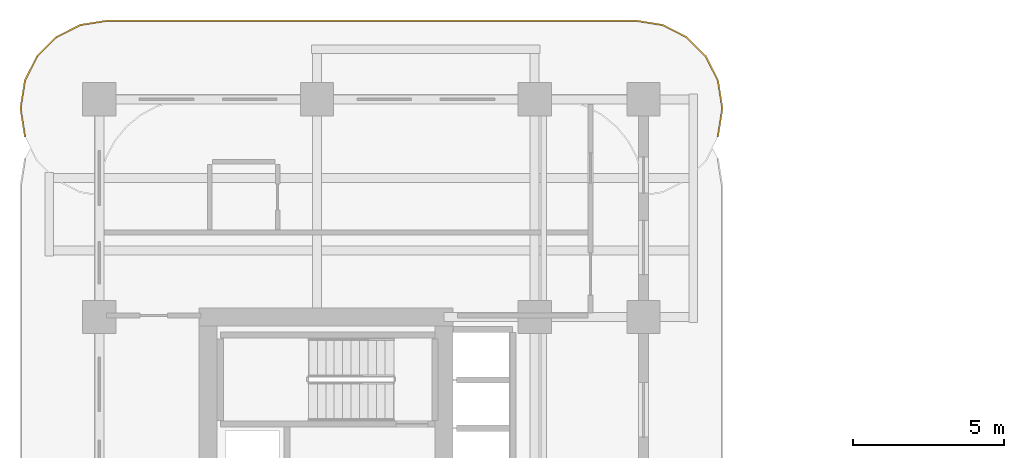
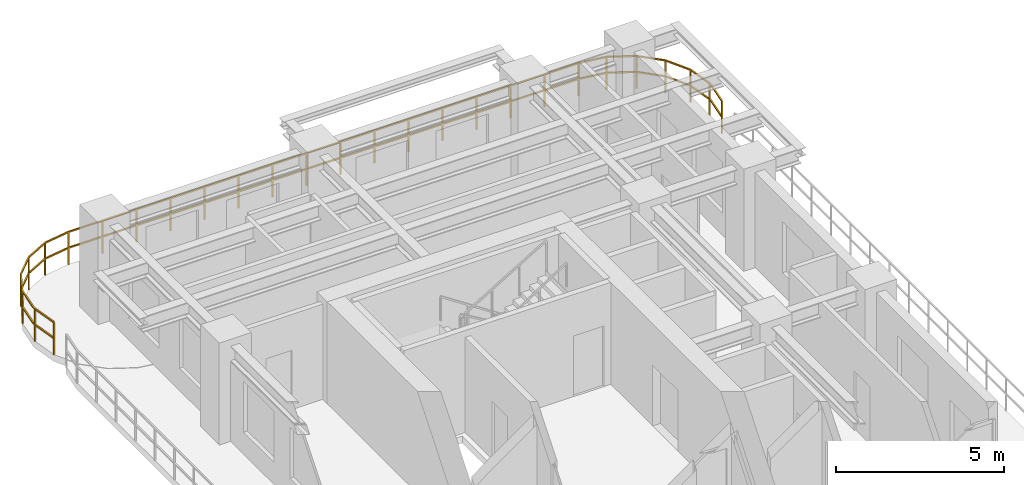
# One storey, part 19 of 19: 1 railing.
"""IFC4 building model written with IfcOpenShell, lengths in metres."""

import ifcopenshell
import ifcopenshell.guid

model = None  # the IFC model being written
_history = None  # IfcOwnerHistory: only IFC2X3 demands one
_inside = {}  # id of a spatial element -> (the spatial element, [elements in it])
_under = {}  # id of a project, library or spatial element -> (it, [spatial elements below it])
_declared = {}  # id of a project -> (the project, [libraries it declares])
_typed = {}  # id of a type object -> (the type object, [elements of that type])
_made_of = {}  # id of a material, layer set ... -> (it, [elements and type objects made of it])


def new_model(schema):
    """Start an empty IFC model of exactly this schema.

    Asked for "IFC4X3", IfcOpenShell would pick the latest addendum, in which some entities
    have other attributes; the version numbers below select the first issue.
    IFC2X3 requires an IfcOwnerHistory on every rooted entity: one is made here for all.
    """
    global model, _history
    if schema == "IFC4X3":
        model = ifcopenshell.file(schema_version=(4, 3, 0, 0))
    else:
        model = ifcopenshell.file(schema=schema)
    _inside.clear()
    _under.clear()
    _declared.clear()
    _typed.clear()
    _made_of.clear()
    _history = None
    if model.schema == "IFC2X3":
        org = make("IfcOrganization", Name="unknown")
        user = make(
            "IfcPersonAndOrganization",
            ThePerson=make("IfcPerson", FamilyName="unknown"),
            TheOrganization=org,
        )
        app = make(
            "IfcApplication",
            ApplicationDeveloper=org,
            Version="unknown",
            ApplicationFullName="unknown",
            ApplicationIdentifier="unknown",
        )
        _history = make(
            "IfcOwnerHistory",
            OwningUser=user,
            OwningApplication=app,
            ChangeAction="ADDED",
            CreationDate=0,
        )
    return model


def make(cls, **values):
    """One entity of the class cls with the attributes given. An attribute that is None is left unset."""
    return model.create_entity(
        cls, **{name: value for name, value in values.items() if value is not None}
    )


def rooted(cls, **values):
    """An entity with a GlobalId (a new one), such as an element, a storey or a relation."""
    return make(cls, GlobalId=ifcopenshell.guid.new(), OwnerHistory=_history, **values)


def si_unit(unit_type, name, prefix=None):
    """IfcSIUnit, for example si_unit("LENGTHUNIT", "METRE", prefix="MILLI")."""
    return make("IfcSIUnit", UnitType=unit_type, Prefix=prefix, Name=name)


def derived_unit(unit_type, elements):
    """IfcDerivedUnit: a product of units, each with its exponent."""
    return make(
        "IfcDerivedUnit",
        Elements=[
            make("IfcDerivedUnitElement", Unit=unit, Exponent=power)
            for unit, power in elements
        ],
        UnitType=unit_type,
    )


def assignment(units):
    """IfcUnitAssignment: the units of a project."""
    return None if units is None else make("IfcUnitAssignment", Units=units)


def point(xyz):
    """IfcCartesianPoint."""
    return None if xyz is None else make("IfcCartesianPoint", Coordinates=xyz)


def direction(xyz):
    """IfcDirection."""
    return None if xyz is None else make("IfcDirection", DirectionRatios=xyz)


def frame(location, z_axis=None, x_axis=None):
    """IfcAxis2Placement3D, a coordinate frame: its origin and axes. An axis left out is left unset."""
    return make(
        "IfcAxis2Placement3D",
        Location=point(location),
        Axis=direction(z_axis),
        RefDirection=direction(x_axis),
    )


def frame_2d(location, x_axis=None):
    """IfcAxis2Placement2D, a coordinate frame in the plane: its origin and x axis."""
    return make(
        "IfcAxis2Placement2D", Location=point(location), RefDirection=direction(x_axis)
    )


def origin():
    """The frame at (0, 0, 0) with its axes left unset."""
    return frame((0.0, 0.0, 0.0))


def origin_2d():
    """The frame at (0, 0) in the plane with its x axis left unset."""
    return frame_2d((0.0, 0.0))


def place(relative_to, where):
    """IfcLocalPlacement: puts the frame where relative to a parent placement (None: the world)."""
    return make(
        "IfcLocalPlacement", PlacementRelTo=relative_to, RelativePlacement=where
    )


def context(
    kind, dimensions, precision=None, world=None, true_north=None, identifier=None
):
    """IfcGeometricRepresentationContext, for example the 3D "Model" context."""
    return make(
        "IfcGeometricRepresentationContext",
        ContextIdentifier=identifier,
        ContextType=kind,
        CoordinateSpaceDimension=dimensions,
        Precision=precision,
        WorldCoordinateSystem=world,
        TrueNorth=true_north,
    )


def subcontext(parent, identifier, kind, view, scale=None):
    """IfcGeometricRepresentationSubContext, for example "Body" below "Model"."""
    return make(
        "IfcGeometricRepresentationSubContext",
        ContextIdentifier=identifier,
        ContextType=kind,
        ParentContext=parent,
        TargetScale=scale,
        TargetView=view,
    )


def project(units=None, contexts=None):
    """IfcProject with its units and contexts."""
    return rooted(
        "IfcProject",
        Name="project",
        RepresentationContexts=contexts,
        UnitsInContext=assignment(units),
    )


def spatial(cls, under=None, at=None, **own):
    """A site, building, storey or space (cls), placed at a placement, below another one or the project."""
    s = rooted(cls, ObjectPlacement=at, **own)
    if under is not None:
        _under.setdefault(under.id(), (under, []))[1].append(s)
    return s


def profile(cls, at=None, kind="AREA", **sizes):
    """A parametric profile (cls). Its sizes go by their IFC names, for example OverallWidth=200.0."""
    return make(cls, ProfileType=kind, Position=at, **sizes)


def rectangle(**sizes):
    """IfcRectangleProfileDef."""
    return profile("IfcRectangleProfileDef", **sizes)


def extrude(swept, where, along, depth):
    """IfcExtrudedAreaSolid: the profile swept, set in the frame where, extruded along a direction by depth."""
    return make(
        "IfcExtrudedAreaSolid",
        SweptArea=swept,
        Position=where,
        ExtrudedDirection=direction(along),
        Depth=depth,
    )


def shape(context_of_items, identifier, shape_type, items):
    """IfcShapeRepresentation: the items that make up one representation, for example the "Body"."""
    return make(
        "IfcShapeRepresentation",
        ContextOfItems=context_of_items,
        RepresentationIdentifier=identifier,
        RepresentationType=shape_type,
        Items=items,
    )


def material(Name=None, Category=None):
    """IfcMaterial."""
    return make("IfcMaterial", Name=Name, Category=Category)


def made_of(thing, what):
    """Note that an element or type object is made of a material, layer set ...; save() writes the relation."""
    if what is not None:
        _made_of.setdefault(what.id(), (what, []))[1].append(thing)
    return thing


def type_object(cls, material=None, **own):
    """A type object (cls), such as IfcWallType, which elements share."""
    return made_of(rooted(cls, **own), material)


def element(
    cls,
    number,
    at=None,
    inside=None,
    cuts=None,
    type_object=None,
    material=None,
    context=None,
    identifier="Body",
    shape_type=None,
    held_by="IfcProductDefinitionShape",
    body=None,
    shapes=None,
    **own,
):
    """One element of the class cls, such as IfcWall. Its Tag is "e" and its number.

    at: its placement. inside: the storey or other place that contains it. cuts: it is an
    opening in that element (IfcRelVoidsElement). A single representation is given by context,
    identifier, shape_type and body (its items); several are given by shapes. held_by: the class
    of the entity that holds the representations. save() writes the other relations.
    """
    e = rooted(cls, Tag="e%d" % number, ObjectPlacement=at, **own)
    if body is not None:
        shapes = [shape(context, identifier, shape_type, body)]
    if shapes is not None:
        e.Representation = make(held_by, Representations=shapes)
    if inside is not None:
        _inside.setdefault(inside.id(), (inside, []))[1].append(e)
    if cuts is not None:
        rooted(
            "IfcRelVoidsElement", RelatingBuildingElement=cuts, RelatedOpeningElement=e
        )
    if type_object is not None:
        _typed.setdefault(type_object.id(), (type_object, []))[1].append(e)
    return made_of(e, material)


def aggregate(whole, parts):
    """IfcRelAggregates: a whole, such as a stair, and the parts it consists of."""
    return rooted("IfcRelAggregates", RelatingObject=whole, RelatedObjects=parts)


def save(model, path):
    """Write the relations noted so far, then the file.

    IfcRelAggregates (storeys below a building ...), IfcRelContainedInSpatialStructure (elements
    in a storey), IfcRelDefinesByType, IfcRelAssociatesMaterial and IfcRelDeclares: one each for
    every whole, place, type object, material and project.
    """
    for whole, parts in _under.values():
        aggregate(whole, parts)
    for where, things in _inside.values():
        rooted(
            "IfcRelContainedInSpatialStructure",
            RelatedElements=things,
            RelatingStructure=where,
        )
    for kind, things in _typed.values():
        rooted("IfcRelDefinesByType", RelatedObjects=things, RelatingType=kind)
    for what, things in _made_of.values():
        rooted("IfcRelAssociatesMaterial", RelatedObjects=things, RelatingMaterial=what)
    for by, libraries in _declared.values():
        rooted("IfcRelDeclares", RelatingContext=by, RelatedDefinitions=libraries)
    model.write(path)


model = new_model("IFC4")

# Units and contexts
model_context = context("Model", 3, precision=1e-05, world=origin(), true_north=direction((0.0, 1.0)))
body_context = subcontext(model_context, "Body", "Model", "MODEL_VIEW")
ifc_project = project(units=[si_unit("LENGTHUNIT", "METRE"), si_unit("AREAUNIT", "SQUARE_METRE"), si_unit("VOLUMEUNIT", "CUBIC_METRE"), si_unit("PLANEANGLEUNIT", "RADIAN"), si_unit("MASSUNIT", "GRAM", prefix="KILO"), si_unit("THERMODYNAMICTEMPERATUREUNIT", "KELVIN"), si_unit("POWERUNIT", "WATT"), derived_unit("THERMALTRANSMITTANCEUNIT", [(si_unit("POWERUNIT", "WATT"), 1), (si_unit("AREAUNIT", "SQUARE_METRE"), -1), (si_unit("THERMODYNAMICTEMPERATUREUNIT", "KELVIN"), -1)])], contexts=[model_context])

# Site, building, storey
site_placement = place(None, origin())
site = spatial("IfcSite", under=ifc_project, at=site_placement, CompositionType="ELEMENT")
building_placement = place(site_placement, origin())
building = spatial("IfcBuilding", under=site, at=building_placement, Name="Zahravan Archway Hotel and Residences", CompositionType="ELEMENT")
storey_placement = place(building_placement, frame((0.0, 0.0, 39.800048828125)))
storey = spatial("IfcBuildingStorey", under=building, at=storey_placement, Name="L08", CompositionType="ELEMENT", Elevation=39.800048828125)

# Railing
ifc_material = material(Name="Bronze & Laminated Glass Balustrade", Category="glass")
railing_type = type_object("IfcRailingType", Name="RL-BAL-1200", PredefinedType="BALUSTRADE", material=ifc_material)
railing_placement = place(storey_placement, frame((-2.46044921875, 45.5693359375, 0.0)))
element("IfcRailing", 1, at=railing_placement, inside=storey, type_object=railing_type, Name="L08 Balustrade RL-SLB-BAL-L08-NB-1", PredefinedType="BALUSTRADE", context=body_context, shape_type="SweptSolid", body=[
    extrude(rectangle(XDim=0.048095703125, YDim=0.048095703125, at=origin_2d()), frame((0.0, 0.0, 1.17578125), z_axis=(-0.156623399917, 0.987658397726, 0.0), x_axis=(-0.987658397726, -0.156623399917, 0.0)), (0.0, 0.0, 1.0), 0.8916015625),
    extrude(rectangle(XDim=0.048095703125, YDim=0.048095703125, at=origin_2d()), frame((0.0, 0.0, 0.60009765625), z_axis=(-0.156623399917, 0.987658397726, 0.0), x_axis=(-0.987658397726, -0.156623399917, 0.0)), (0.0, 0.0, 1.0), 0.8916015625),
    extrude(rectangle(XDim=0.048095703125, YDim=0.048095703125, at=origin_2d()), frame((-0.1396484375, 0.880615234375, 1.17578125), z_axis=(0.0, 1.0, 0.0), x_axis=(-1.0, 0.0, 0.0)), (0.0, 0.0, 1.0), 0.10009765625),
    extrude(rectangle(XDim=0.048095703125, YDim=0.048095703125, at=origin_2d()), frame((-0.1396484375, 0.880615234375, 0.60009765625), z_axis=(0.0, 1.0, 0.0), x_axis=(-1.0, 0.0, 0.0)), (0.0, 0.0, 1.0), 0.10009765625),
    extrude(rectangle(XDim=0.048095703125, YDim=0.048095703125, at=origin_2d()), frame((-0.1396484375, 0.980712890625, 1.17578125), z_axis=(0.156623399917, 0.987658397726, 0.0), x_axis=(-0.987658397726, 0.156623399917, 0.0)), (0.0, 0.0, 1.0), 0.8916015625),
    extrude(rectangle(XDim=0.048095703125, YDim=0.048095703125, at=origin_2d()), frame((-0.1396484375, 0.980712890625, 0.60009765625), z_axis=(0.156623399917, 0.987658397726, 0.0), x_axis=(-0.987658397726, 0.156623399917, 0.0)), (0.0, 0.0, 1.0), 0.8916015625),
    extrude(rectangle(XDim=0.048095703125, YDim=0.048095703125, at=origin_2d()), frame((0.0, 1.861328125, 1.17578125), z_axis=(0.453991409995, 0.891006060389, 0.0), x_axis=(-0.891006060389, 0.453991409995, 0.0)), (0.0, 0.0, 1.0), 0.8916015625),
    extrude(rectangle(XDim=0.048095703125, YDim=0.048095703125, at=origin_2d()), frame((0.0, 1.861328125, 0.60009765625), z_axis=(0.453991409995, 0.891006060389, 0.0), x_axis=(-0.891006060389, 0.453991409995, 0.0)), (0.0, 0.0, 1.0), 0.8916015625),
    extrude(rectangle(XDim=0.048095703125, YDim=0.048095703125, at=origin_2d()), frame((0.40478515625, 2.65576171875, 1.17578125), z_axis=(0.706969864397, 0.70724367147, 0.0), x_axis=(-0.70724367147, 0.706969864397, 0.0)), (0.0, 0.0, 1.0), 0.8916015625),
    extrude(rectangle(XDim=0.048095703125, YDim=0.048095703125, at=origin_2d()), frame((0.40478515625, 2.65576171875, 0.60009765625), z_axis=(0.706969864397, 0.70724367147, 0.0), x_axis=(-0.70724367147, 0.706969864397, 0.0)), (0.0, 0.0, 1.0), 0.8916015625),
    extrude(rectangle(XDim=0.048095703125, YDim=0.048095703125, at=origin_2d()), frame((1.03515625, 3.286376953125, 1.17578125), z_axis=(0.891062476022, 0.45388067135, 0.0), x_axis=(-0.45388067135, 0.891062476022, 0.0)), (0.0, 0.0, 1.0), 0.891845703125),
    extrude(rectangle(XDim=0.048095703125, YDim=0.048095703125, at=origin_2d()), frame((1.03515625, 3.286376953125, 0.60009765625), z_axis=(0.891062476022, 0.45388067135, 0.0), x_axis=(-0.45388067135, 0.891062476022, 0.0)), (0.0, 0.0, 1.0), 0.891845703125),
    extrude(rectangle(XDim=0.048095703125, YDim=0.048095703125, at=origin_2d()), frame((1.829833984375, 3.691162109375, 1.17578125), z_axis=(0.987700720307, 0.156356282588, 0.0), x_axis=(-0.156356282588, 0.987700720307, 0.0)), (0.0, 0.0, 1.0), 0.8916015625),
    extrude(rectangle(XDim=0.048095703125, YDim=0.048095703125, at=origin_2d()), frame((1.829833984375, 3.691162109375, 0.60009765625), z_axis=(0.987700720307, 0.156356282588, 0.0), x_axis=(-0.156356282588, 0.987700720307, 0.0)), (0.0, 0.0, 1.0), 0.8916015625),
    extrude(rectangle(XDim=0.048095703125, YDim=0.048095703125, at=origin_2d()), frame((2.71044921875, 3.83056640625, 1.17578125), z_axis=(1.0, 0.0, 0.0), x_axis=(0.0, 1.0, 0.0)), (0.0, 0.0, 1.0), 17.5),
    extrude(rectangle(XDim=0.048095703125, YDim=0.048095703125, at=origin_2d()), frame((2.71044921875, 3.83056640625, 0.60009765625), z_axis=(1.0, 0.0, 0.0), x_axis=(0.0, 1.0, 0.0)), (0.0, 0.0, 1.0), 17.5),
    extrude(rectangle(XDim=0.048095703125, YDim=0.048095703125, at=origin_2d()), frame((20.21044921875, 3.83056640625, 1.17578125), z_axis=(0.987700720307, -0.156356282588, 0.0), x_axis=(0.156356282588, 0.987700720307, 0.0)), (0.0, 0.0, 1.0), 0.8916015625),
    extrude(rectangle(XDim=0.048095703125, YDim=0.048095703125, at=origin_2d()), frame((20.21044921875, 3.83056640625, 0.60009765625), z_axis=(0.987700720307, -0.156356282588, 0.0), x_axis=(0.156356282588, 0.987700720307, 0.0)), (0.0, 0.0, 1.0), 0.8916015625),
    extrude(rectangle(XDim=0.048095703125, YDim=0.048095703125, at=origin_2d()), frame((21.091064453125, 3.691162109375, 1.17578125), z_axis=(0.891062476022, -0.45388067135, 0.0), x_axis=(0.45388067135, 0.891062476022, 0.0)), (0.0, 0.0, 1.0), 0.891845703125),
    extrude(rectangle(XDim=0.048095703125, YDim=0.048095703125, at=origin_2d()), frame((21.091064453125, 3.691162109375, 0.60009765625), z_axis=(0.891062476022, -0.45388067135, 0.0), x_axis=(0.45388067135, 0.891062476022, 0.0)), (0.0, 0.0, 1.0), 0.891845703125),
    extrude(rectangle(XDim=0.048095703125, YDim=0.048095703125, at=origin_2d()), frame((21.8857421875, 3.286376953125, 1.17578125), z_axis=(0.706969864397, -0.70724367147, 0.0), x_axis=(0.70724367147, 0.706969864397, 0.0)), (0.0, 0.0, 1.0), 0.8916015625),
    extrude(rectangle(XDim=0.048095703125, YDim=0.048095703125, at=origin_2d()), frame((21.8857421875, 3.286376953125, 0.60009765625), z_axis=(0.706969864397, -0.70724367147, 0.0), x_axis=(0.70724367147, 0.706969864397, 0.0)), (0.0, 0.0, 1.0), 0.8916015625),
    extrude(rectangle(XDim=0.048095703125, YDim=0.048095703125, at=origin_2d()), frame((22.51611328125, 2.65576171875, 1.17578125), z_axis=(0.453991409995, -0.891006060389, 0.0), x_axis=(0.891006060389, 0.453991409995, 0.0)), (0.0, 0.0, 1.0), 0.8916015625),
    extrude(rectangle(XDim=0.048095703125, YDim=0.048095703125, at=origin_2d()), frame((22.51611328125, 2.65576171875, 0.60009765625), z_axis=(0.453991409995, -0.891006060389, 0.0), x_axis=(0.891006060389, 0.453991409995, 0.0)), (0.0, 0.0, 1.0), 0.8916015625),
    extrude(rectangle(XDim=0.048095703125, YDim=0.048095703125, at=origin_2d()), frame((22.9208984375, 1.861328125, 1.17578125), z_axis=(0.156623399917, -0.987658397726, 0.0), x_axis=(0.987658397726, 0.156623399917, 0.0)), (0.0, 0.0, 1.0), 0.8916015625),
    extrude(rectangle(XDim=0.048095703125, YDim=0.048095703125, at=origin_2d()), frame((22.9208984375, 1.861328125, 0.60009765625), z_axis=(0.156623399917, -0.987658397726, 0.0), x_axis=(0.987658397726, 0.156623399917, 0.0)), (0.0, 0.0, 1.0), 0.8916015625),
    extrude(rectangle(XDim=0.048095703125, YDim=0.048095703125, at=origin_2d()), frame((23.060546875, 0.980712890625, 1.17578125), z_axis=(0.0, -1.0, 0.0), x_axis=(1.0, 0.0, 0.0)), (0.0, 0.0, 1.0), 0.10009765625),
    extrude(rectangle(XDim=0.048095703125, YDim=0.048095703125, at=origin_2d()), frame((23.060546875, 0.980712890625, 0.60009765625), z_axis=(0.0, -1.0, 0.0), x_axis=(1.0, 0.0, 0.0)), (0.0, 0.0, 1.0), 0.10009765625),
    extrude(rectangle(XDim=0.048095703125, YDim=0.048095703125, at=origin_2d()), frame((23.060546875, 0.880615234375, 1.17578125), z_axis=(-0.156623399917, -0.987658397726, 0.0), x_axis=(0.987658397726, -0.156623399917, 0.0)), (0.0, 0.0, 1.0), 0.8916015625),
    extrude(rectangle(XDim=0.048095703125, YDim=0.048095703125, at=origin_2d()), frame((23.060546875, 0.880615234375, 0.60009765625), z_axis=(-0.156623399917, -0.987658397726, 0.0), x_axis=(0.987658397726, -0.156623399917, 0.0)), (0.0, 0.0, 1.0), 0.8916015625),
    extrude(rectangle(XDim=0.0419921875, YDim=0.0419921875, at=origin_2d()), origin(), (0.0, 0.0, 1.0), 1.15185546875),
    extrude(rectangle(XDim=0.0419921875, YDim=0.0419921875, at=origin_2d()), frame((-0.1396484375, 0.880615234375, 0.0)), (0.0, 0.0, 1.0), 1.15185546875),
    extrude(rectangle(XDim=0.0419921875, YDim=0.0419921875, at=origin_2d()), frame((0.0, 1.861328125, 0.0)), (0.0, 0.0, 1.0), 1.15185546875),
    extrude(rectangle(XDim=0.0419921875, YDim=0.0419921875, at=origin_2d()), frame((0.40478515625, 2.65576171875, 0.0)), (0.0, 0.0, 1.0), 1.15185546875),
    extrude(rectangle(XDim=0.0419921875, YDim=0.0419921875, at=origin_2d()), frame((1.03515625, 3.286376953125, 0.0)), (0.0, 0.0, 1.0), 1.15185546875),
    extrude(rectangle(XDim=0.0419921875, YDim=0.0419921875, at=origin_2d()), frame((1.829833984375, 3.691162109375, 0.0)), (0.0, 0.0, 1.0), 1.15185546875),
    extrude(rectangle(XDim=0.0419921875, YDim=0.0419921875, at=origin_2d()), frame((2.71044921875, 3.83056640625, 0.0)), (0.0, 0.0, 1.0), 1.15185546875),
    extrude(rectangle(XDim=0.0419921875, YDim=0.0419921875, at=origin_2d()), frame((3.877197265625, 3.83056640625, 0.0)), (0.0, 0.0, 1.0), 1.15185546875),
    extrude(rectangle(XDim=0.0419921875, YDim=0.0419921875, at=origin_2d()), frame((5.043701171875, 3.83056640625, 0.0)), (0.0, 0.0, 1.0), 1.15185546875),
    extrude(rectangle(XDim=0.0419921875, YDim=0.0419921875, at=origin_2d()), frame((6.21044921875, 3.83056640625, 0.0)), (0.0, 0.0, 1.0), 1.15185546875),
    extrude(rectangle(XDim=0.0419921875, YDim=0.0419921875, at=origin_2d()), frame((7.377197265625, 3.83056640625, 0.0)), (0.0, 0.0, 1.0), 1.15185546875),
    extrude(rectangle(XDim=0.0419921875, YDim=0.0419921875, at=origin_2d()), frame((8.543701171875, 3.83056640625, 0.0)), (0.0, 0.0, 1.0), 1.15185546875),
    extrude(rectangle(XDim=0.0419921875, YDim=0.0419921875, at=origin_2d()), frame((9.71044921875, 3.83056640625, 0.0)), (0.0, 0.0, 1.0), 1.15185546875),
    extrude(rectangle(XDim=0.0419921875, YDim=0.0419921875, at=origin_2d()), frame((10.877197265625, 3.83056640625, 0.0)), (0.0, 0.0, 1.0), 1.15185546875),
    extrude(rectangle(XDim=0.0419921875, YDim=0.0419921875, at=origin_2d()), frame((12.043701171875, 3.83056640625, 0.0)), (0.0, 0.0, 1.0), 1.15185546875),
    extrude(rectangle(XDim=0.0419921875, YDim=0.0419921875, at=origin_2d()), frame((13.21044921875, 3.83056640625, 0.0)), (0.0, 0.0, 1.0), 1.15185546875),
    extrude(rectangle(XDim=0.0419921875, YDim=0.0419921875, at=origin_2d()), frame((14.377197265625, 3.83056640625, 0.0)), (0.0, 0.0, 1.0), 1.15185546875),
    extrude(rectangle(XDim=0.0419921875, YDim=0.0419921875, at=origin_2d()), frame((15.543701171875, 3.83056640625, 0.0)), (0.0, 0.0, 1.0), 1.15185546875),
    extrude(rectangle(XDim=0.0419921875, YDim=0.0419921875, at=origin_2d()), frame((16.71044921875, 3.83056640625, 0.0)), (0.0, 0.0, 1.0), 1.15185546875),
    extrude(rectangle(XDim=0.0419921875, YDim=0.0419921875, at=origin_2d()), frame((17.877197265625, 3.83056640625, 0.0)), (0.0, 0.0, 1.0), 1.15185546875),
    extrude(rectangle(XDim=0.0419921875, YDim=0.0419921875, at=origin_2d()), frame((19.043701171875, 3.83056640625, 0.0)), (0.0, 0.0, 1.0), 1.15185546875),
    extrude(rectangle(XDim=0.0419921875, YDim=0.0419921875, at=origin_2d()), frame((20.21044921875, 3.83056640625, 0.0)), (0.0, 0.0, 1.0), 1.15185546875),
    extrude(rectangle(XDim=0.0419921875, YDim=0.0419921875, at=origin_2d()), frame((21.091064453125, 3.691162109375, 0.0)), (0.0, 0.0, 1.0), 1.15185546875),
    extrude(rectangle(XDim=0.0419921875, YDim=0.0419921875, at=origin_2d()), frame((21.8857421875, 3.286376953125, 0.0)), (0.0, 0.0, 1.0), 1.15185546875),
    extrude(rectangle(XDim=0.0419921875, YDim=0.0419921875, at=origin_2d()), frame((22.51611328125, 2.65576171875, 0.0)), (0.0, 0.0, 1.0), 1.15185546875),
    extrude(rectangle(XDim=0.0419921875, YDim=0.0419921875, at=origin_2d()), frame((22.9208984375, 1.861328125, 0.0)), (0.0, 0.0, 1.0), 1.15185546875),
    extrude(rectangle(XDim=0.0419921875, YDim=0.0419921875, at=origin_2d()), frame((23.060546875, 0.980712890625, 0.0)), (0.0, 0.0, 1.0), 1.15185546875),
    extrude(rectangle(XDim=0.0419921875, YDim=0.0419921875, at=origin_2d()), frame((22.9208984375, 0.0, 0.0)), (0.0, 0.0, 1.0), 1.15185546875),
])

save(model, "model.ifc")
